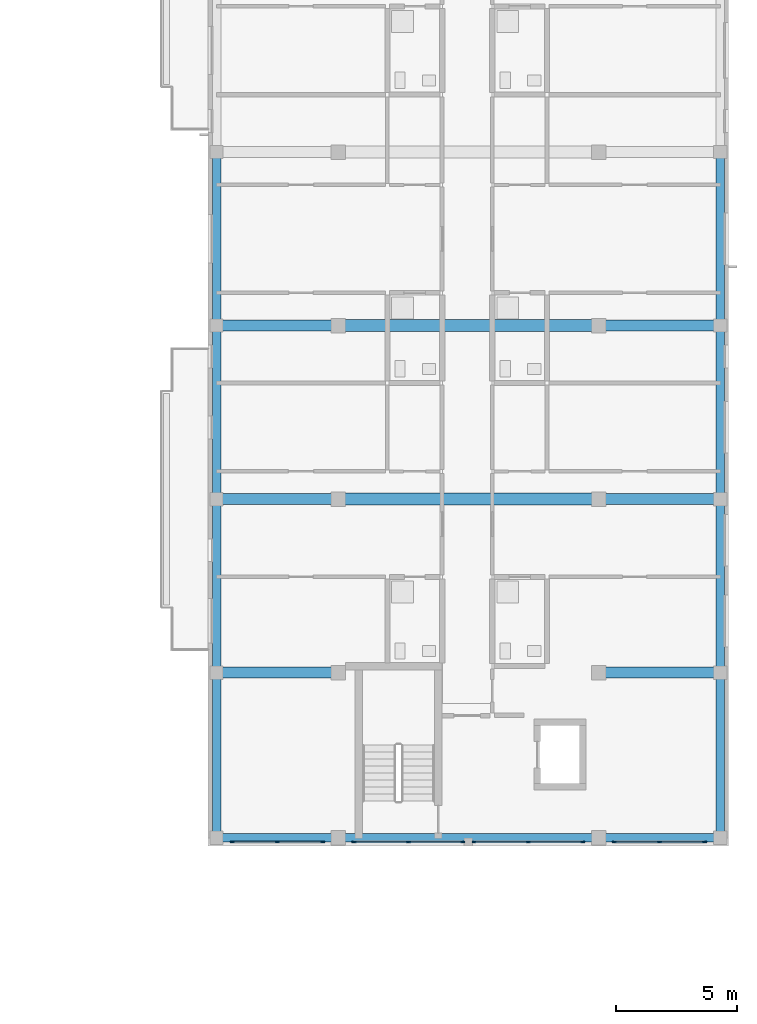
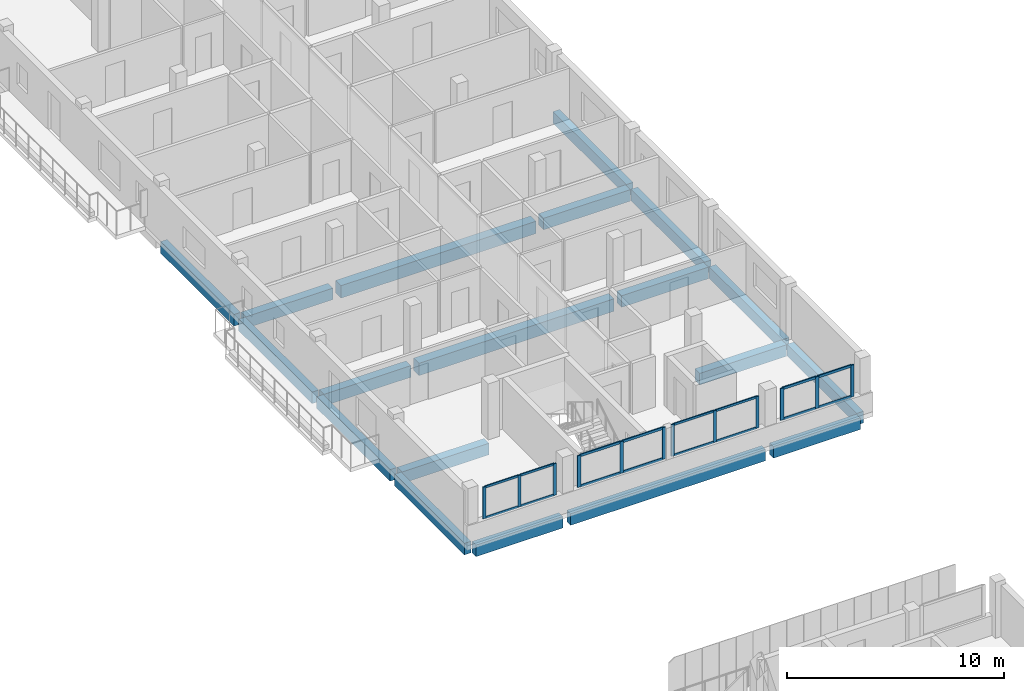
# One storey, part 8 of 41: 28 members, 19 beams, 4 elements without a shape of their own.
"""IFC4 building model written with IfcOpenShell, lengths in metres."""

from ifc_helpers import new_model, si_unit, derived_unit, direction, frame, origin, origin_2d, place, context, subcontext, project, spatial, rectangle, extrude, material, layer, layer_set, material_profile, profile_set, type_object, element, aggregate, save


model = new_model("IFC4")

# Units and contexts
model_context = context("Model", 3, precision=1e-05, world=origin(), true_north=direction((0.0, 1.0)))
body_context = subcontext(model_context, "Body", "Model", "MODEL_VIEW")
ifc_project = project(units=[si_unit("LENGTHUNIT", "METRE"), si_unit("AREAUNIT", "SQUARE_METRE"), si_unit("VOLUMEUNIT", "CUBIC_METRE"), si_unit("PLANEANGLEUNIT", "RADIAN"), si_unit("MASSUNIT", "GRAM", prefix="KILO"), derived_unit("THERMALTRANSMITTANCEUNIT", [(si_unit("MASSUNIT", "GRAM", prefix="KILO"), 1), (si_unit("TIMEUNIT", "SECOND"), -3), (si_unit("THERMODYNAMICTEMPERATUREUNIT", "KELVIN"), -1)])], contexts=[model_context])

# Site, building, storey
site_placement = place(None, origin())
site = spatial("IfcSite", under=ifc_project, at=site_placement, CompositionType="ELEMENT")
building_placement = place(site_placement, origin())
building = spatial("IfcBuilding", under=site, at=building_placement, Name="Ochrekiln Boulevard Commons", CompositionType="ELEMENT")
storey_placement = place(building_placement, frame((0.0, 0.0, 21.52490234375)))
storey = spatial("IfcBuildingStorey", under=building, at=storey_placement, Name="L06", CompositionType="ELEMENT", Elevation=21.52490234375)

# Beams
ifc_material_1 = material(Name="Concrete C35/45", Category="concrete")
ifc_material_profile_1 = material_profile(ifc_material_1, rectangle(XDim=0.449951171875, YDim=0.64990234375, at=origin_2d()), Name="RC-BM-450x650")
ifc_profile_set_1 = profile_set([ifc_material_profile_1], Name="Concrete C35/45")
beam_type_1 = type_object("IfcBeamType", Name="BM-RC-450x650", PredefinedType="BEAM", material=ifc_profile_set_1)
for number, where, z_axis, x_axis, name in (
    (1, (151.760009765625, 75.60009765625, -0.5849609375), (1.0, 0.0, 0.0), (0.0, 1.0, 0.0), "Block B L06 Beam B-4565 X4"),
    (2, (167.610107421875, 75.60009765625, -0.5849609375), (1.0, 0.0, 0.0), (0.0, 1.0, 0.0), "Block B L06 Beam B-4565 X5"),
    (3, (151.760009765625, 82.800048828125, -0.5849609375), (1.0, 0.0, 0.0), (0.0, 1.0, 0.0), "Block B L06 Beam B-4565 X6"),
    (4, (167.610107421875, 82.800048828125, -0.5849609375), (1.0, 0.0, 0.0), (0.0, 1.0, 0.0), "Block B L06 Beam B-4565 X8"),
    (5, (151.760009765625, 90.0, -0.5849609375), (1.0, 0.0, 0.0), (0.0, 1.0, 0.0), "Block B L06 Beam B-4565 X9"),
    (6, (167.610107421875, 90.0, -0.5849609375), (1.0, 0.0, 0.0), (0.0, 1.0, 0.0), "Block B L06 Beam B-4565 X11"),
):
    element("IfcBeam", number, at=place(storey_placement, frame(where, z_axis=z_axis, x_axis=x_axis)), inside=storey, type_object=beam_type_1, Name=name, PredefinedType="BEAM", context=body_context, shape_type="SweptSolid", body=[
        extrude(rectangle(XDim=0.449951171875, YDim=0.64990234375, at=origin_2d()), origin(), (0.0, 0.0, 1.0), 4.6298828125),
    ])
ifc_material_2 = material(Name="Concrete C40/50", Category="concrete")
ifc_material_profile_2 = material_profile(ifc_material_2, rectangle(XDim=0.5, YDim=0.699951171875, at=origin_2d()), Name="RC-BM-500x700")
ifc_profile_set_2 = profile_set([ifc_material_profile_2], Name="Concrete C40/50")
beam_type_2 = type_object("IfcBeamType", Name="BM-RC-500x700", PredefinedType="BEAM", material=ifc_profile_set_2)
for number, where, z_axis, x_axis, name in (
    (7, (156.81005859375, 82.800048828125, -0.60986328125), (1.0, 0.0, 0.0), (0.0, 1.0, 0.0), "Block B L06 Beam B-5070 X7"),
    (8, (156.81005859375, 90.0, -0.60986328125), (1.0, 0.0, 0.0), (0.0, 1.0, 0.0), "Block B L06 Beam B-5070 X10"),
):
    element("IfcBeam", number, at=place(storey_placement, frame(where, z_axis=z_axis, x_axis=x_axis)), inside=storey, type_object=beam_type_2, Name=name, PredefinedType="BEAM", context=body_context, shape_type="SweptSolid", body=[
        extrude(rectangle(XDim=0.5, YDim=0.699951171875, at=origin_2d()), origin(), (0.0, 0.0, 1.0), 10.3798828125),
    ])

# Curtain wall, members
ifc_material_3 = material(Name="Bronze-anodized extruded aluminium 6063-T6", Category="aluminium")
ifc_layer = layer(ifc_material_3, 0.18408203125)
ifc_layer_set = layer_set([ifc_layer], Name="Bronze-anodized extruded aluminium 6063-T6")
curtain_wall_type = type_object("IfcCurtainWallType", Name="CW-GABLE-B", PredefinedType="USERDEFINED", material=ifc_layer_set)
curtain_wall_1_placement = place(storey_placement, origin())
curtain_wall_1 = element("IfcCurtainWall", 9, at=curtain_wall_1_placement, inside=storey, type_object=curtain_wall_type, Name="Block B L06 Courtyard Glazed Gable Curtain Wall 1", ObjectType="GLAZED CURTAIN WALL", PredefinedType="USERDEFINED")
ifc_material_profile_3 = material_profile(ifc_material_3, rectangle(XDim=0.06005859375, YDim=0.159912109375, at=origin_2d()), Name="ALU-MUL-60x160")
ifc_profile_set_3 = profile_set([ifc_material_profile_3], Name="Bronze-anodized extruded aluminium 6063-T6")
member_type_1 = type_object("IfcMemberType", Name="CWM-60x160", PredefinedType="MULLION", material=ifc_profile_set_3)
member_1_placement = place(storey_placement, frame((152.199951171875, 68.570068359375, 1.110107421875), z_axis=(0.0, 0.0, 1.0), x_axis=(0.0, 1.0, 0.0)))
member_1 = element("IfcMember", 10, at=member_1_placement, type_object=member_type_1, Name="CW-02 mullion 1", PredefinedType="MULLION", context=body_context, shape_type="SweptSolid", body=[
    extrude(rectangle(XDim=0.06005859375, YDim=0.159912109375, at=origin_2d()), origin(), (0.0, 0.0, 1.0), 1.780029296875),
])
member_2_placement = place(storey_placement, frame((154.074951171875, 68.570068359375, 1.110107421875), z_axis=(0.0, 0.0, 1.0), x_axis=(0.0, 1.0, 0.0)))
member_2 = element("IfcMember", 11, at=member_2_placement, type_object=member_type_1, Name="CW-02 mullion 2", PredefinedType="MULLION", context=body_context, shape_type="SweptSolid", body=[
    extrude(rectangle(XDim=0.06005859375, YDim=0.159912109375, at=origin_2d()), origin(), (0.0, 0.0, 1.0), 1.780029296875),
])
member_3_placement = place(storey_placement, frame((155.949951171875, 68.570068359375, 1.110107421875), z_axis=(0.0, 0.0, 1.0), x_axis=(0.0, 1.0, 0.0)))
member_3 = element("IfcMember", 12, at=member_3_placement, type_object=member_type_1, Name="CW-02 mullion 3", PredefinedType="MULLION", context=body_context, shape_type="SweptSolid", body=[
    extrude(rectangle(XDim=0.06005859375, YDim=0.159912109375, at=origin_2d()), origin(), (0.0, 0.0, 1.0), 1.780029296875),
])

curtain_wall_2_placement = place(storey_placement, origin())
curtain_wall_2 = element("IfcCurtainWall", 13, at=curtain_wall_2_placement, inside=storey, type_object=curtain_wall_type, Name="Block B L06 Courtyard Glazed Gable Curtain Wall 3", ObjectType="GLAZED CURTAIN WALL", PredefinedType="USERDEFINED")
member_4_placement = place(storey_placement, frame((162.22998046875, 68.570068359375, 1.110107421875), z_axis=(0.0, 0.0, 1.0), x_axis=(0.0, 1.0, 0.0)))
member_4 = element("IfcMember", 14, at=member_4_placement, type_object=member_type_1, Name="CW-02 mullion 1", PredefinedType="MULLION", context=body_context, shape_type="SweptSolid", body=[
    extrude(rectangle(XDim=0.06005859375, YDim=0.159912109375, at=origin_2d()), origin(), (0.0, 0.0, 1.0), 1.780029296875),
])
member_5_placement = place(storey_placement, frame((164.489990234375, 68.570068359375, 1.110107421875), z_axis=(0.0, 0.0, 1.0), x_axis=(0.0, 1.0, 0.0)))
member_5 = element("IfcMember", 15, at=member_5_placement, type_object=member_type_1, Name="CW-02 mullion 2", PredefinedType="MULLION", context=body_context, shape_type="SweptSolid", body=[
    extrude(rectangle(XDim=0.06005859375, YDim=0.159912109375, at=origin_2d()), origin(), (0.0, 0.0, 1.0), 1.780029296875),
])
member_6_placement = place(storey_placement, frame((166.75, 68.570068359375, 1.110107421875), z_axis=(0.0, 0.0, 1.0), x_axis=(0.0, 1.0, 0.0)))
member_6 = element("IfcMember", 16, at=member_6_placement, type_object=member_type_1, Name="CW-02 mullion 3", PredefinedType="MULLION", context=body_context, shape_type="SweptSolid", body=[
    extrude(rectangle(XDim=0.06005859375, YDim=0.159912109375, at=origin_2d()), origin(), (0.0, 0.0, 1.0), 1.780029296875),
])

curtain_wall_3_placement = place(storey_placement, origin())
curtain_wall_3 = element("IfcCurtainWall", 17, at=curtain_wall_3_placement, inside=storey, type_object=curtain_wall_type, Name="Block B L06 Courtyard Glazed Gable Curtain Wall 2", ObjectType="GLAZED CURTAIN WALL", PredefinedType="USERDEFINED")
ifc_material_profile_4 = material_profile(ifc_material_3, rectangle(XDim=0.06494140625, YDim=0.179931640625, at=origin_2d()), Name="ALU-MUL-65x180")
ifc_profile_set_4 = profile_set([ifc_material_profile_4], Name="Bronze-anodized extruded aluminium 6063-T6")
member_type_2 = type_object("IfcMemberType", Name="CWM-65x180", PredefinedType="MULLION", material=ifc_profile_set_4)
member_7_placement = place(storey_placement, frame((157.25244140625, 68.570068359375, 1.110107421875), z_axis=(0.0, 0.0, 1.0), x_axis=(0.0, 1.0, 0.0)))
member_7 = element("IfcMember", 18, at=member_7_placement, type_object=member_type_2, Name="CW-02 mullion 1", PredefinedType="MULLION", context=body_context, shape_type="SweptSolid", body=[
    extrude(rectangle(XDim=0.06494140625, YDim=0.179931640625, at=origin_2d()), origin(), (0.0, 0.0, 1.0), 1.780029296875),
])
member_8_placement = place(storey_placement, frame((159.510009765625, 68.570068359375, 1.110107421875), z_axis=(0.0, 0.0, 1.0), x_axis=(0.0, 1.0, 0.0)))
member_8 = element("IfcMember", 19, at=member_8_placement, type_object=member_type_2, Name="CW-02 mullion 2", PredefinedType="MULLION", context=body_context, shape_type="SweptSolid", body=[
    extrude(rectangle(XDim=0.06494140625, YDim=0.179931640625, at=origin_2d()), origin(), (0.0, 0.0, 1.0), 1.780029296875),
])
member_9_placement = place(storey_placement, frame((161.767578125, 68.570068359375, 1.110107421875), z_axis=(0.0, 0.0, 1.0), x_axis=(0.0, 1.0, 0.0)))
member_9 = element("IfcMember", 20, at=member_9_placement, type_object=member_type_2, Name="CW-02 mullion 3", PredefinedType="MULLION", context=body_context, shape_type="SweptSolid", body=[
    extrude(rectangle(XDim=0.06494140625, YDim=0.179931640625, at=origin_2d()), origin(), (0.0, 0.0, 1.0), 1.780029296875),
])

curtain_wall_4_placement = place(storey_placement, origin())
curtain_wall_4 = element("IfcCurtainWall", 21, at=curtain_wall_4_placement, inside=storey, type_object=curtain_wall_type, Name="Block B L06 Courtyard Glazed Gable Curtain Wall 4", ObjectType="GLAZED CURTAIN WALL", PredefinedType="USERDEFINED")
member_10_placement = place(storey_placement, frame((168.052490234375, 68.570068359375, 1.110107421875), z_axis=(0.0, 0.0, 1.0), x_axis=(0.0, 1.0, 0.0)))
member_10 = element("IfcMember", 22, at=member_10_placement, type_object=member_type_2, Name="CW-02 mullion 1", PredefinedType="MULLION", context=body_context, shape_type="SweptSolid", body=[
    extrude(rectangle(XDim=0.06494140625, YDim=0.179931640625, at=origin_2d()), origin(), (0.0, 0.0, 1.0), 1.780029296875),
])
member_11_placement = place(storey_placement, frame((169.925048828125, 68.570068359375, 1.110107421875), z_axis=(0.0, 0.0, 1.0), x_axis=(0.0, 1.0, 0.0)))
member_11 = element("IfcMember", 23, at=member_11_placement, type_object=member_type_2, Name="CW-02 mullion 2", PredefinedType="MULLION", context=body_context, shape_type="SweptSolid", body=[
    extrude(rectangle(XDim=0.06494140625, YDim=0.179931640625, at=origin_2d()), origin(), (0.0, 0.0, 1.0), 1.780029296875),
])
member_12_placement = place(storey_placement, frame((171.797607421875, 68.570068359375, 1.110107421875), z_axis=(0.0, 0.0, 1.0), x_axis=(0.0, 1.0, 0.0)))
member_12 = element("IfcMember", 24, at=member_12_placement, type_object=member_type_2, Name="CW-02 mullion 3", PredefinedType="MULLION", context=body_context, shape_type="SweptSolid", body=[
    extrude(rectangle(XDim=0.06494140625, YDim=0.179931640625, at=origin_2d()), origin(), (0.0, 0.0, 1.0), 1.780029296875),
])

# Member
ifc_material_profile_5 = material_profile(ifc_material_3, rectangle(XDim=0.06005859375, YDim=0.1201171875, at=origin_2d()), Name="ALU-TRN-60x120")
ifc_profile_set_5 = profile_set([ifc_material_profile_5], Name="Bronze-anodized extruded aluminium 6063-T6")
member_type_3 = type_object("IfcMemberType", Name="CWT-60x120", PredefinedType="USERDEFINED", material=ifc_profile_set_5)
member_13_placement = place(storey_placement, frame((152.22998046875, 68.570068359375, 1.14013671875), z_axis=(1.0, 0.0, 0.0), x_axis=(0.0, 1.0, 0.0)))
member_13 = element("IfcMember", 25, at=member_13_placement, type_object=member_type_3, Name="CW-02 transom 1.1", ObjectType="TRANSOM", PredefinedType="USERDEFINED", context=body_context, shape_type="SweptSolid", body=[
    extrude(rectangle(XDim=0.06005859375, YDim=0.1201171875, at=origin_2d()), origin(), (0.0, 0.0, 1.0), 1.81494140625),
])

member_14_placement = place(storey_placement, frame((152.22998046875, 68.570068359375, 2.860107421875), z_axis=(1.0, 0.0, 0.0), x_axis=(0.0, 1.0, 0.0)))
member_14 = element("IfcMember", 26, at=member_14_placement, type_object=member_type_3, Name="CW-02 transom 1.2", ObjectType="TRANSOM", PredefinedType="USERDEFINED", context=body_context, shape_type="SweptSolid", body=[
    extrude(rectangle(XDim=0.06005859375, YDim=0.1201171875, at=origin_2d()), origin(), (0.0, 0.0, 1.0), 1.81494140625),
])

member_15_placement = place(storey_placement, frame((154.10498046875, 68.570068359375, 1.14013671875), z_axis=(1.0, 0.0, 0.0), x_axis=(0.0, 1.0, 0.0)))
member_15 = element("IfcMember", 27, at=member_15_placement, type_object=member_type_3, Name="CW-02 transom 2.1", ObjectType="TRANSOM", PredefinedType="USERDEFINED", context=body_context, shape_type="SweptSolid", body=[
    extrude(rectangle(XDim=0.06005859375, YDim=0.1201171875, at=origin_2d()), origin(), (0.0, 0.0, 1.0), 1.81494140625),
])

member_16_placement = place(storey_placement, frame((154.10498046875, 68.570068359375, 2.860107421875), z_axis=(1.0, 0.0, 0.0), x_axis=(0.0, 1.0, 0.0)))
member_16 = element("IfcMember", 28, at=member_16_placement, type_object=member_type_3, Name="CW-02 transom 2.2", ObjectType="TRANSOM", PredefinedType="USERDEFINED", context=body_context, shape_type="SweptSolid", body=[
    extrude(rectangle(XDim=0.06005859375, YDim=0.1201171875, at=origin_2d()), origin(), (0.0, 0.0, 1.0), 1.81494140625),
])

aggregate(curtain_wall_1, [member_1, member_2, member_3, member_13, member_14, member_15, member_16])

member_17_placement = place(storey_placement, frame((162.260009765625, 68.570068359375, 1.14013671875), z_axis=(1.0, 0.0, 0.0), x_axis=(0.0, 1.0, 0.0)))
member_17 = element("IfcMember", 29, at=member_17_placement, type_object=member_type_3, Name="CW-02 transom 1.1", ObjectType="TRANSOM", PredefinedType="USERDEFINED", context=body_context, shape_type="SweptSolid", body=[
    extrude(rectangle(XDim=0.06005859375, YDim=0.1201171875, at=origin_2d()), origin(), (0.0, 0.0, 1.0), 2.199951171875),
])

member_18_placement = place(storey_placement, frame((162.260009765625, 68.570068359375, 2.860107421875), z_axis=(1.0, 0.0, 0.0), x_axis=(0.0, 1.0, 0.0)))
member_18 = element("IfcMember", 30, at=member_18_placement, type_object=member_type_3, Name="CW-02 transom 1.2", ObjectType="TRANSOM", PredefinedType="USERDEFINED", context=body_context, shape_type="SweptSolid", body=[
    extrude(rectangle(XDim=0.06005859375, YDim=0.1201171875, at=origin_2d()), origin(), (0.0, 0.0, 1.0), 2.199951171875),
])

member_19_placement = place(storey_placement, frame((164.52001953125, 68.570068359375, 1.14013671875), z_axis=(1.0, 0.0, 0.0), x_axis=(0.0, 1.0, 0.0)))
member_19 = element("IfcMember", 31, at=member_19_placement, type_object=member_type_3, Name="CW-02 transom 2.1", ObjectType="TRANSOM", PredefinedType="USERDEFINED", context=body_context, shape_type="SweptSolid", body=[
    extrude(rectangle(XDim=0.06005859375, YDim=0.1201171875, at=origin_2d()), origin(), (0.0, 0.0, 1.0), 2.199951171875),
])

member_20_placement = place(storey_placement, frame((164.52001953125, 68.570068359375, 2.860107421875), z_axis=(1.0, 0.0, 0.0), x_axis=(0.0, 1.0, 0.0)))
member_20 = element("IfcMember", 32, at=member_20_placement, type_object=member_type_3, Name="CW-02 transom 2.2", ObjectType="TRANSOM", PredefinedType="USERDEFINED", context=body_context, shape_type="SweptSolid", body=[
    extrude(rectangle(XDim=0.06005859375, YDim=0.1201171875, at=origin_2d()), origin(), (0.0, 0.0, 1.0), 2.199951171875),
])

aggregate(curtain_wall_2, [member_4, member_5, member_6, member_17, member_18, member_19, member_20])

ifc_material_profile_6 = material_profile(ifc_material_3, rectangle(XDim=0.06494140625, YDim=0.139892578125, at=origin_2d()), Name="ALU-TRN-65x140")
ifc_profile_set_6 = profile_set([ifc_material_profile_6], Name="Bronze-anodized extruded aluminium 6063-T6")
member_type_4 = type_object("IfcMemberType", Name="CWT-65x140", PredefinedType="USERDEFINED", material=ifc_profile_set_6)
member_21_placement = place(storey_placement, frame((157.284912109375, 68.570068359375, 1.142578125), z_axis=(1.0, 0.0, 0.0), x_axis=(0.0, 1.0, 0.0)))
member_21 = element("IfcMember", 33, at=member_21_placement, type_object=member_type_4, Name="CW-02 transom 1.1", ObjectType="TRANSOM", PredefinedType="USERDEFINED", context=body_context, shape_type="SweptSolid", body=[
    extrude(rectangle(XDim=0.06494140625, YDim=0.139892578125, at=origin_2d()), origin(), (0.0, 0.0, 1.0), 2.192626953125),
])

member_22_placement = place(storey_placement, frame((157.284912109375, 68.570068359375, 2.857666015625), z_axis=(1.0, 0.0, 0.0), x_axis=(0.0, 1.0, 0.0)))
member_22 = element("IfcMember", 34, at=member_22_placement, type_object=member_type_4, Name="CW-02 transom 1.2", ObjectType="TRANSOM", PredefinedType="USERDEFINED", context=body_context, shape_type="SweptSolid", body=[
    extrude(rectangle(XDim=0.06494140625, YDim=0.139892578125, at=origin_2d()), origin(), (0.0, 0.0, 1.0), 2.192626953125),
])

member_23_placement = place(storey_placement, frame((159.54248046875, 68.570068359375, 1.142578125), z_axis=(1.0, 0.0, 0.0), x_axis=(0.0, 1.0, 0.0)))
member_23 = element("IfcMember", 35, at=member_23_placement, type_object=member_type_4, Name="CW-02 transom 2.1", ObjectType="TRANSOM", PredefinedType="USERDEFINED", context=body_context, shape_type="SweptSolid", body=[
    extrude(rectangle(XDim=0.06494140625, YDim=0.139892578125, at=origin_2d()), origin(), (0.0, 0.0, 1.0), 2.192626953125),
])

member_24_placement = place(storey_placement, frame((159.54248046875, 68.570068359375, 2.857666015625), z_axis=(1.0, 0.0, 0.0), x_axis=(0.0, 1.0, 0.0)))
member_24 = element("IfcMember", 36, at=member_24_placement, type_object=member_type_4, Name="CW-02 transom 2.2", ObjectType="TRANSOM", PredefinedType="USERDEFINED", context=body_context, shape_type="SweptSolid", body=[
    extrude(rectangle(XDim=0.06494140625, YDim=0.139892578125, at=origin_2d()), origin(), (0.0, 0.0, 1.0), 2.192626953125),
])

aggregate(curtain_wall_3, [member_7, member_8, member_9, member_21, member_22, member_23, member_24])

member_25_placement = place(storey_placement, frame((168.0849609375, 68.570068359375, 1.142578125), z_axis=(1.0, 0.0, 0.0), x_axis=(0.0, 1.0, 0.0)))
member_25 = element("IfcMember", 37, at=member_25_placement, type_object=member_type_4, Name="CW-02 transom 1.1", ObjectType="TRANSOM", PredefinedType="USERDEFINED", context=body_context, shape_type="SweptSolid", body=[
    extrude(rectangle(XDim=0.06494140625, YDim=0.139892578125, at=origin_2d()), origin(), (0.0, 0.0, 1.0), 1.8076171875),
])

member_26_placement = place(storey_placement, frame((168.0849609375, 68.570068359375, 2.857666015625), z_axis=(1.0, 0.0, 0.0), x_axis=(0.0, 1.0, 0.0)))
member_26 = element("IfcMember", 38, at=member_26_placement, type_object=member_type_4, Name="CW-02 transom 1.2", ObjectType="TRANSOM", PredefinedType="USERDEFINED", context=body_context, shape_type="SweptSolid", body=[
    extrude(rectangle(XDim=0.06494140625, YDim=0.139892578125, at=origin_2d()), origin(), (0.0, 0.0, 1.0), 1.8076171875),
])

member_27_placement = place(storey_placement, frame((169.95751953125, 68.570068359375, 1.142578125), z_axis=(1.0, 0.0, 0.0), x_axis=(0.0, 1.0, 0.0)))
member_27 = element("IfcMember", 39, at=member_27_placement, type_object=member_type_4, Name="CW-02 transom 2.1", ObjectType="TRANSOM", PredefinedType="USERDEFINED", context=body_context, shape_type="SweptSolid", body=[
    extrude(rectangle(XDim=0.06494140625, YDim=0.139892578125, at=origin_2d()), origin(), (0.0, 0.0, 1.0), 1.807373046875),
])

member_28_placement = place(storey_placement, frame((169.95751953125, 68.570068359375, 2.857666015625), z_axis=(1.0, 0.0, 0.0), x_axis=(0.0, 1.0, 0.0)))
member_28 = element("IfcMember", 40, at=member_28_placement, type_object=member_type_4, Name="CW-02 transom 2.2", ObjectType="TRANSOM", PredefinedType="USERDEFINED", context=body_context, shape_type="SweptSolid", body=[
    extrude(rectangle(XDim=0.06494140625, YDim=0.139892578125, at=origin_2d()), origin(), (0.0, 0.0, 1.0), 1.807373046875),
])

aggregate(curtain_wall_4, [member_10, member_11, member_12, member_25, member_26, member_27, member_28])

# Beams
ifc_material_profile_7 = material_profile(ifc_material_2, rectangle(XDim=0.35009765625, YDim=0.64990234375, at=origin_2d()), Name="RC-SPN-350x650")
ifc_profile_set_7 = profile_set([ifc_material_profile_7], Name="Concrete C40/50")
beam_type_3 = type_object("IfcBeamType", Name="SPN-RC-350x650", PredefinedType="SPANDREL", material=ifc_profile_set_7)
beam_1_placement = place(storey_placement, frame((151.760009765625, 68.75, -0.5849609375), z_axis=(1.0, 0.0, 0.0), x_axis=(0.0, 1.0, 0.0)))
element("IfcBeam", 41, at=beam_1_placement, inside=storey, type_object=beam_type_3, Name="Block B L06 Beam SP-3565 X1", PredefinedType="SPANDREL", context=body_context, shape_type="SweptSolid", body=[
    extrude(rectangle(XDim=0.35009765625, YDim=0.64990234375, at=origin_2d()), origin(), (0.0, 0.0, 1.0), 4.6298828125),
])
beam_2_placement = place(storey_placement, frame((156.81005859375, 68.75, -0.5849609375), z_axis=(1.0, 0.0, 0.0), x_axis=(0.0, 1.0, 0.0)))
element("IfcBeam", 42, at=beam_2_placement, inside=storey, type_object=beam_type_3, Name="Block B L06 Beam SP-3565 X2", PredefinedType="SPANDREL", context=body_context, shape_type="SweptSolid", body=[
    extrude(rectangle(XDim=0.35009765625, YDim=0.64990234375, at=origin_2d()), origin(), (0.0, 0.0, 1.0), 10.3798828125),
])
beam_3_placement = place(storey_placement, frame((167.610107421875, 68.75, -0.5849609375), z_axis=(1.0, 0.0, 0.0), x_axis=(0.0, 1.0, 0.0)))
element("IfcBeam", 43, at=beam_3_placement, inside=storey, type_object=beam_type_3, Name="Block B L06 Beam SP-3565 X3", PredefinedType="SPANDREL", context=body_context, shape_type="SweptSolid", body=[
    extrude(rectangle(XDim=0.35009765625, YDim=0.64990234375, at=origin_2d()), origin(), (0.0, 0.0, 1.0), 4.6298828125),
])
beam_4_placement = place(storey_placement, frame((151.550048828125, 68.9599609375, -0.5849609375), z_axis=(0.0, 1.0, 0.0), x_axis=(-1.0, 0.0, 0.0)))
element("IfcBeam", 44, at=beam_4_placement, inside=storey, type_object=beam_type_3, Name="Block B L06 Beam SP-3565 Y23", PredefinedType="SPANDREL", context=body_context, shape_type="SweptSolid", body=[
    extrude(rectangle(XDim=0.35009765625, YDim=0.64990234375, at=origin_2d()), origin(), (0.0, 0.0, 1.0), 6.429931640625),
])
for number, where, z_axis, x_axis, name in (
    (45, (151.550048828125, 75.81005859375, -0.5849609375), (0.0, 1.0, 0.0), (-1.0, 0.0, 0.0), "Block B L06 Beam SP-3565 Y24"),
    (46, (151.550048828125, 83.010009765625, -0.5849609375), (0.0, 1.0, 0.0), (-1.0, 0.0, 0.0), "Block B L06 Beam SP-3565 Y25"),
    (47, (151.550048828125, 90.2099609375, -0.5849609375), (0.0, 1.0, 0.0), (-1.0, 0.0, 0.0), "Block B L06 Beam SP-3565 Y26"),
):
    element("IfcBeam", number, at=place(storey_placement, frame(where, z_axis=z_axis, x_axis=x_axis)), inside=storey, type_object=beam_type_3, Name=name, PredefinedType="SPANDREL", context=body_context, shape_type="SweptSolid", body=[
        extrude(rectangle(XDim=0.35009765625, YDim=0.64990234375, at=origin_2d()), origin(), (0.0, 0.0, 1.0), 6.780029296875),
    ])
beam_5_placement = place(storey_placement, frame((172.449951171875, 68.9599609375, -0.5849609375), z_axis=(0.0, 1.0, 0.0), x_axis=(-1.0, 0.0, 0.0)))
element("IfcBeam", 48, at=beam_5_placement, inside=storey, type_object=beam_type_3, Name="Block B L06 Beam SP-3565 Y30", PredefinedType="SPANDREL", context=body_context, shape_type="SweptSolid", body=[
    extrude(rectangle(XDim=0.35009765625, YDim=0.64990234375, at=origin_2d()), origin(), (0.0, 0.0, 1.0), 6.429931640625),
])
for number, where, z_axis, x_axis, name in (
    (49, (172.449951171875, 75.81005859375, -0.5849609375), (0.0, 1.0, 0.0), (-1.0, 0.0, 0.0), "Block B L06 Beam SP-3565 Y31"),
    (50, (172.449951171875, 83.010009765625, -0.5849609375), (0.0, 1.0, 0.0), (-1.0, 0.0, 0.0), "Block B L06 Beam SP-3565 Y32"),
    (51, (172.449951171875, 90.2099609375, -0.5849609375), (0.0, 1.0, 0.0), (-1.0, 0.0, 0.0), "Block B L06 Beam SP-3565 Y33"),
):
    element("IfcBeam", number, at=place(storey_placement, frame(where, z_axis=z_axis, x_axis=x_axis)), inside=storey, type_object=beam_type_3, Name=name, PredefinedType="SPANDREL", context=body_context, shape_type="SweptSolid", body=[
        extrude(rectangle(XDim=0.35009765625, YDim=0.64990234375, at=origin_2d()), origin(), (0.0, 0.0, 1.0), 6.780029296875),
    ])

save(model, "model.ifc")
